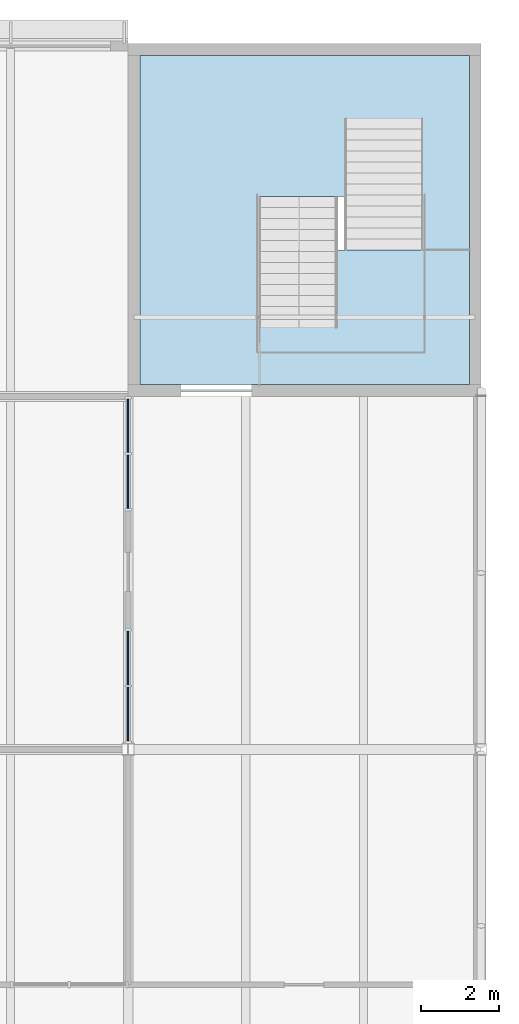
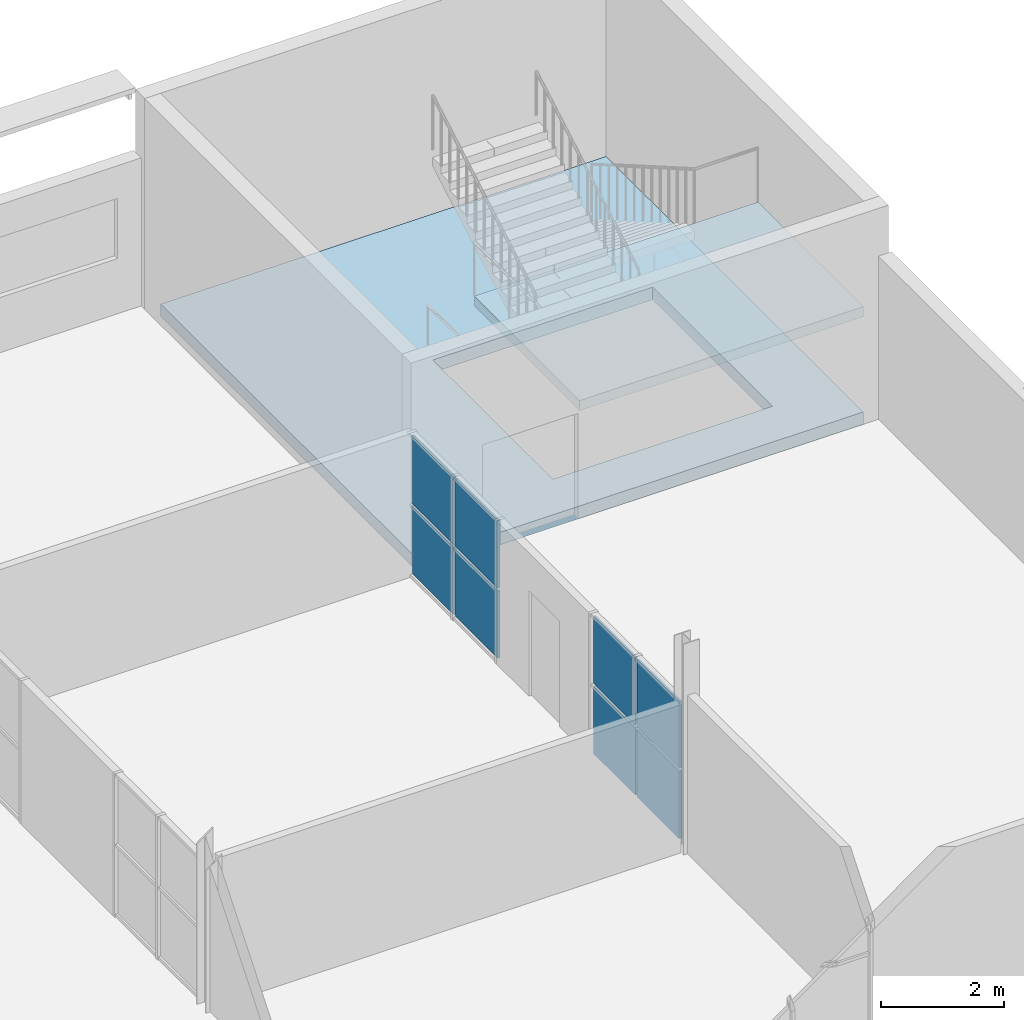
# One storey, part 32 of 57: 8 plates, 2 slabs, 3 elements without a shape of their own.
"""IFC4 building model written with IfcOpenShell, lengths in metres."""

from ifc_helpers import new_model, si_unit, direction, frame, origin, origin_2d, place, context, subcontext, project, spatial, polyline, rectangle, outline, extrude, material, layer, layer_set, type_object, element, aggregate, save


model = new_model("IFC4")

# Units and contexts
model_context = context("Model", 3, precision=1e-05, world=origin(), true_north=direction((0.0, 1.0)))
body_context = subcontext(model_context, "Body", "Model", "MODEL_VIEW")
ifc_project = project(units=[si_unit("LENGTHUNIT", "METRE"), si_unit("AREAUNIT", "SQUARE_METRE"), si_unit("VOLUMEUNIT", "CUBIC_METRE"), si_unit("PLANEANGLEUNIT", "RADIAN"), si_unit("MASSUNIT", "GRAM", prefix="KILO")], contexts=[model_context])

# Site, building, storey
site_placement = place(None, origin())
site = spatial("IfcSite", under=ifc_project, at=site_placement, CompositionType="ELEMENT")
building_placement = place(site_placement, origin())
building = spatial("IfcBuilding", under=site, at=building_placement, Name="Halyard Row Museum", CompositionType="ELEMENT")
storey_placement = place(building_placement, frame((0.0, 0.0, 5.0)))
storey = spatial("IfcBuildingStorey", under=building, at=storey_placement, Name="L01", CompositionType="ELEMENT", Elevation=5.0)

# Slab
ifc_material_1 = material(Name="Concrete 40 MPa", Category="concrete")
ifc_layer_1 = layer(ifc_material_1, 0.25)
ifc_layer_set_1 = layer_set([ifc_layer_1], Name="Concrete 40 MPa")
slab_type_1 = type_object("IfcSlabType", Name="Core floor slab 250", PredefinedType="FLOOR", material=ifc_layer_set_1)
slab_1_placement = place(storey_placement, frame((0.0, 0.0, -0.25)))
element("IfcSlab", 1, at=slab_1_placement, inside=storey, type_object=slab_type_1, Name="Core floor K5B L01", PredefinedType="FLOOR", context=body_context, shape_type="SweptSolid", body=[
    extrude(outline(polyline([(107.699951171875, 62.699951171875), (99.300048828125, 62.699951171875), (99.300048828125, 54.300048828125), (107.699951171875, 54.300048828125), (107.699951171875, 62.699951171875)]), holes=[polyline([(102.35302734375, 55.18310546875), (102.35302734375, 59.096923828125), (106.4970703125, 59.096923828125), (106.4970703125, 55.18310546875), (102.35302734375, 55.18310546875)])]), origin(), (0.0, 0.0, 1.0), 0.25),
])

# Curtain wall, plates
ifc_material_2 = material(Name="Fire-resisting laminated glazing", Category="glass")
ifc_layer_2 = layer(ifc_material_2, 0.159912109375)
ifc_layer_set_2 = layer_set([ifc_layer_2], Name="Fire-resisting laminated glazing")
curtain_wall_type = type_object("IfcCurtainWallType", Name="Curtain wall atrium screen 160 deep", PredefinedType="NOTDEFINED", material=ifc_layer_set_2)
curtain_wall_1_placement = place(storey_placement, origin())
curtain_wall_1 = element("IfcCurtainWall", 2, at=curtain_wall_1_placement, inside=storey, type_object=curtain_wall_type, Name="Curtain wall CW156", PredefinedType="NOTDEFINED")
ifc_material_3 = material(Name="Fire-resisting laminated glazing", Category="glass")
ifc_layer_3 = layer(ifc_material_3, 0.0400390625)
ifc_layer_set_3 = layer_set([ifc_layer_3], Name="Fire-resisting laminated glazing")
plate_type = type_object("IfcPlateType", Name="Curtain wall glazed panel CP5 40", PredefinedType="CURTAIN_PANEL", material=ifc_layer_set_3)
plate_1_placement = place(storey_placement, frame((99.0, 45.899658203125, 0.06005859375), z_axis=(0.0, 0.0, 1.0), x_axis=(0.0, 1.0, 0.0)))
plate_1 = element("IfcPlate", 3, at=plate_1_placement, type_object=plate_type, Name="CW156 panel 1.1", PredefinedType="CURTAIN_PANEL", context=body_context, shape_type="SweptSolid", body=[
    extrude(rectangle(XDim=1.37158203125, YDim=0.0400390625, at=origin_2d()), origin(), (0.0, 0.0, 1.0), 1.339111328125),
])
plate_2_placement = place(storey_placement, frame((99.0, 45.899658203125, 1.458984375), z_axis=(0.0, 0.0, 1.0), x_axis=(0.0, 1.0, 0.0)))
plate_2 = element("IfcPlate", 4, at=plate_2_placement, type_object=plate_type, Name="CW156 panel 1.2", PredefinedType="CURTAIN_PANEL", context=body_context, shape_type="SweptSolid", body=[
    extrude(rectangle(XDim=1.37158203125, YDim=0.0400390625, at=origin_2d()), origin(), (0.0, 0.0, 1.0), 1.339111328125),
])
plate_3_placement = place(storey_placement, frame((99.0, 47.331298828125, 0.06005859375), z_axis=(0.0, 0.0, 1.0), x_axis=(0.0, 1.0, 0.0)))
plate_3 = element("IfcPlate", 5, at=plate_3_placement, type_object=plate_type, Name="CW156 panel 2.1", PredefinedType="CURTAIN_PANEL", context=body_context, shape_type="SweptSolid", body=[
    extrude(rectangle(XDim=1.37158203125, YDim=0.0400390625, at=origin_2d()), origin(), (0.0, 0.0, 1.0), 1.339111328125),
])
plate_4_placement = place(storey_placement, frame((99.0, 47.331298828125, 1.458984375), z_axis=(0.0, 0.0, 1.0), x_axis=(0.0, 1.0, 0.0)))
plate_4 = element("IfcPlate", 6, at=plate_4_placement, type_object=plate_type, Name="CW156 panel 2.2", PredefinedType="CURTAIN_PANEL", context=body_context, shape_type="SweptSolid", body=[
    extrude(rectangle(XDim=1.37158203125, YDim=0.0400390625, at=origin_2d()), origin(), (0.0, 0.0, 1.0), 1.339111328125),
])
aggregate(curtain_wall_1, [plate_1, plate_2, plate_3, plate_4])

curtain_wall_2_placement = place(storey_placement, origin())
curtain_wall_2 = element("IfcCurtainWall", 7, at=curtain_wall_2_placement, inside=storey, type_object=curtain_wall_type, Name="Curtain wall CW157", PredefinedType="NOTDEFINED")
plate_5_placement = place(storey_placement, frame((99.0, 51.82275390625, 0.06005859375), z_axis=(0.0, 0.0, 1.0), x_axis=(0.0, 1.0, 0.0)))
plate_5 = element("IfcPlate", 8, at=plate_5_placement, type_object=plate_type, Name="CW157 panel 1.1", PredefinedType="CURTAIN_PANEL", context=body_context, shape_type="SweptSolid", body=[
    extrude(rectangle(XDim=1.37158203125, YDim=0.0400390625, at=origin_2d()), origin(), (0.0, 0.0, 1.0), 1.339111328125),
])
plate_6_placement = place(storey_placement, frame((99.0, 51.82275390625, 1.458984375), z_axis=(0.0, 0.0, 1.0), x_axis=(0.0, 1.0, 0.0)))
plate_6 = element("IfcPlate", 9, at=plate_6_placement, type_object=plate_type, Name="CW157 panel 1.2", PredefinedType="CURTAIN_PANEL", context=body_context, shape_type="SweptSolid", body=[
    extrude(rectangle(XDim=1.37158203125, YDim=0.0400390625, at=origin_2d()), origin(), (0.0, 0.0, 1.0), 1.339111328125),
])
plate_7_placement = place(storey_placement, frame((99.0, 53.254150390625, 0.06005859375), z_axis=(0.0, 0.0, 1.0), x_axis=(0.0, 1.0, 0.0)))
plate_7 = element("IfcPlate", 10, at=plate_7_placement, type_object=plate_type, Name="CW157 panel 2.1", PredefinedType="CURTAIN_PANEL", context=body_context, shape_type="SweptSolid", body=[
    extrude(rectangle(XDim=1.37158203125, YDim=0.0400390625, at=origin_2d()), origin(), (0.0, 0.0, 1.0), 1.339111328125),
])
plate_8_placement = place(storey_placement, frame((99.0, 53.254150390625, 1.458984375), z_axis=(0.0, 0.0, 1.0), x_axis=(0.0, 1.0, 0.0)))
plate_8 = element("IfcPlate", 11, at=plate_8_placement, type_object=plate_type, Name="CW157 panel 2.2", PredefinedType="CURTAIN_PANEL", context=body_context, shape_type="SweptSolid", body=[
    extrude(rectangle(XDim=1.37158203125, YDim=0.0400390625, at=origin_2d()), origin(), (0.0, 0.0, 1.0), 1.339111328125),
])
aggregate(curtain_wall_2, [plate_5, plate_6, plate_7, plate_8])

# Stair, slab
ifc_material_4 = material(Name="Concrete 40 MPa", Category="concrete")
stair_type = type_object("IfcStairType", Name="Exit stair two flights 2000", PredefinedType="HALF_TURN_STAIR", material=ifc_material_4)
stair_placement = place(storey_placement, origin())
stair = element("IfcStair", 12, at=stair_placement, inside=storey, type_object=stair_type, Name="Exit stair K5B L01", PredefinedType="HALF_TURN_STAIR")
ifc_material_5 = material(Name="Concrete 40 MPa", Category="concrete")
ifc_layer_4 = layer(ifc_material_5, 0.199951171875)
ifc_layer_set_4 = layer_set([ifc_layer_4], Name="Concrete 40 MPa")
slab_type_2 = type_object("IfcSlabType", Name="Exit stair landing 200", PredefinedType="LANDING", material=ifc_layer_set_4)
slab_2_placement = place(storey_placement, frame((0.0, 0.0, 1.89990234375)))
slab_2 = element("IfcSlab", 13, at=slab_2_placement, type_object=slab_type_2, Name="STK5B-L01 landing 1", PredefinedType="LANDING", context=body_context, shape_type="SweptSolid", body=[
    extrude(outline(polyline([(107.699951171875, 57.739990234375), (102.35009765625, 57.739990234375), (102.35009765625, 54.300048828125), (107.699951171875, 54.300048828125), (107.699951171875, 57.739990234375)])), origin(), (0.0, 0.0, 1.0), 0.2001953125),
])
aggregate(stair, [slab_2])

save(model, "model.ifc")
